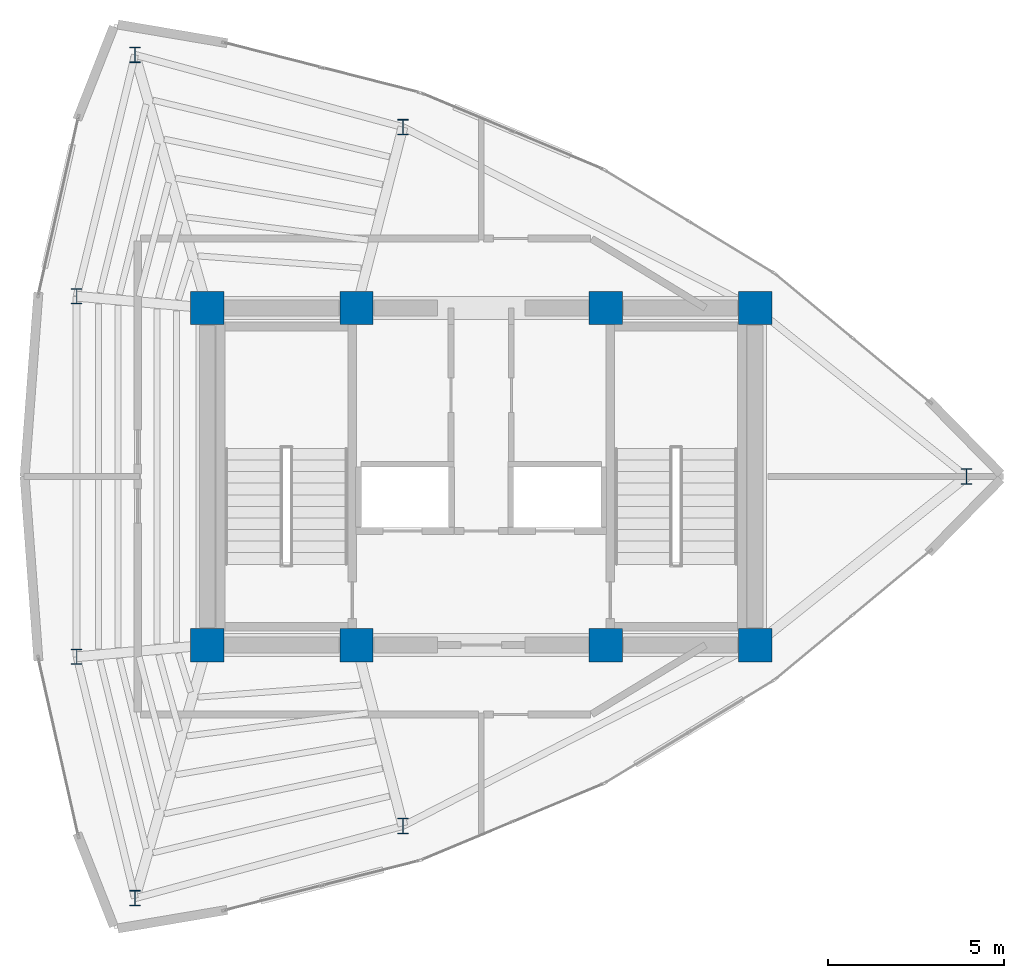
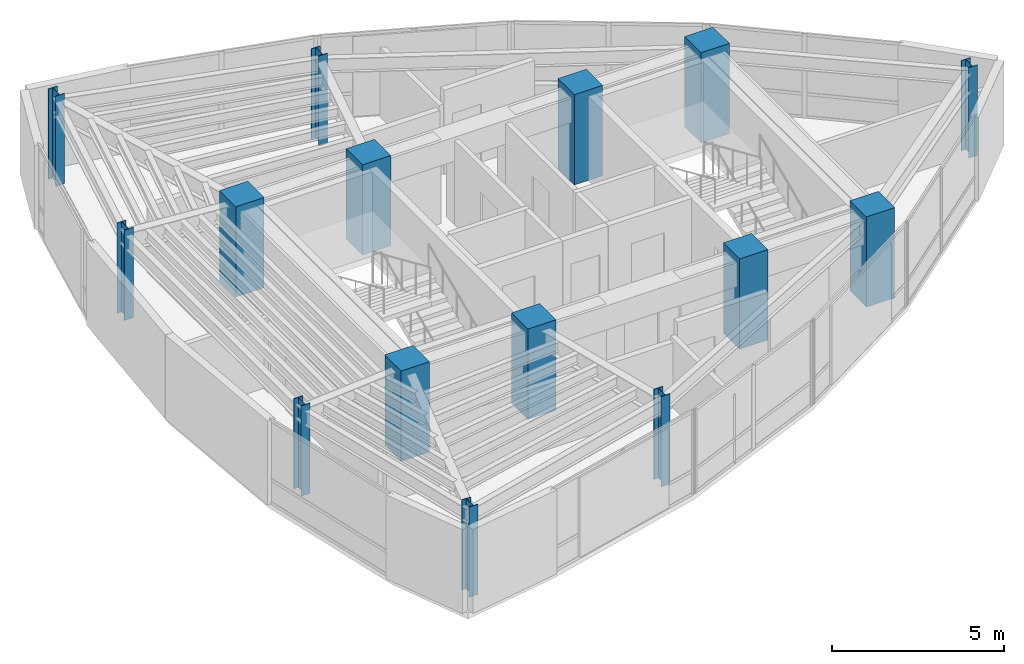
# One storey, part 1 of 14: 15 columns.
"""IFC4 building model written with IfcOpenShell, lengths in metres."""

from ifc_helpers import new_model, si_unit, direction, frame, origin, origin_2d, place, context, subcontext, project, spatial, rectangle, i_section, extrude, material, material_profile, profile_set, type_object, element, save


model = new_model("IFC4")

# Units and contexts
model_context = context("Model", 3, precision=1e-05, world=origin(), true_north=direction((0.0, 1.0)))
body_context = subcontext(model_context, "Body", "Model", "MODEL_VIEW")
ifc_project = project(units=[si_unit("LENGTHUNIT", "METRE"), si_unit("AREAUNIT", "SQUARE_METRE"), si_unit("VOLUMEUNIT", "CUBIC_METRE"), si_unit("PLANEANGLEUNIT", "RADIAN"), si_unit("MASSUNIT", "GRAM", prefix="KILO")], contexts=[model_context])

# Site, building, storey
site_placement = place(None, origin())
site = spatial("IfcSite", under=ifc_project, at=site_placement, CompositionType="ELEMENT")
building_placement = place(site_placement, origin())
building = spatial("IfcBuilding", under=site, at=building_placement, Name="Menara Vayukalpa", CompositionType="ELEMENT")
storey_placement = place(building_placement, frame((0.0, 0.0, 305.6201171875)))
storey = spatial("IfcBuildingStorey", under=building, at=storey_placement, Name="L78", CompositionType="ELEMENT", Elevation=305.6201171875)

# Columns
ifc_material_1 = material(Name="Concrete C60/75", Category="concrete")
ifc_material_profile_1 = material_profile(ifc_material_1, rectangle(XDim=0.949951171875, YDim=0.949951171875, at=origin_2d()), Name="RC 950x950")
ifc_profile_set_1 = profile_set([ifc_material_profile_1], Name="Concrete C60/75")
column_type_1 = type_object("IfcColumnType", Name="COL-CC2", PredefinedType="COLUMN", material=ifc_profile_set_1)
for number, where, z_axis, x_axis, name in (
    (1, (17.800048828125, 17.199951171875, 0.0), (0.0, 0.0, 1.0), (1.0, 0.0, 0.0), "L78 Core Pilaster Column CC1"),
    (2, (22.050048828125, 17.199951171875, 0.0), (0.0, 0.0, 1.0), (1.0, 0.0, 0.0), "L78 Core Pilaster Column CC2"),
    (3, (29.14990234375, 17.199951171875, 0.0), (0.0, 0.0, 1.0), (1.0, 0.0, 0.0), "L78 Core Pilaster Column CC3"),
    (4, (33.39990234375, 17.199951171875, 0.0), (0.0, 0.0, 1.0), (1.0, 0.0, 0.0), "L78 Core Pilaster Column CC4"),
    (5, (17.800048828125, 26.800048828125, 0.0), (0.0, 0.0, 1.0), (1.0, 0.0, 0.0), "L78 Core Pilaster Column CC5"),
    (6, (22.050048828125, 26.800048828125, 0.0), (0.0, 0.0, 1.0), (1.0, 0.0, 0.0), "L78 Core Pilaster Column CC6"),
    (7, (29.14990234375, 26.800048828125, 0.0), (0.0, 0.0, 1.0), (1.0, 0.0, 0.0), "L78 Core Pilaster Column CC7"),
    (8, (33.39990234375, 26.800048828125, 0.0), (0.0, 0.0, 1.0), (1.0, 0.0, 0.0), "L78 Core Pilaster Column CC8"),
):
    element("IfcColumn", number, at=place(storey_placement, frame(where, z_axis=z_axis, x_axis=x_axis)), inside=storey, type_object=column_type_1, Name=name, PredefinedType="COLUMN", context=body_context, shape_type="SweptSolid", body=[
        extrude(rectangle(XDim=0.949951171875, YDim=0.949951171875, at=origin_2d()), origin(), (0.0, 0.0, 1.0), 3.199951171875),
    ])
ifc_material_2 = material(Name="Steel S355", Category="steel")
ifc_material_profile_2 = material_profile(ifc_material_2, i_section(OverallWidth=0.300048828125, OverallDepth=0.43994140625, WebThickness=0.010986328125, FlangeThickness=0.01806640625, at=origin_2d()), Name="H 440x300x11x18")
ifc_profile_set_2 = profile_set([ifc_material_profile_2], Name="Steel S355")
column_type_2 = type_object("IfcColumnType", Name="COL-SC2", PredefinedType="COLUMN", material=ifc_profile_set_2)
for number, where, z_axis, x_axis, name in (
    (9, (39.4189453125, 22.0, 0.0), (0.0, 0.0, 1.0), (1.0, 0.0, 0.0), "L78 Perimeter Mega Column P01"),
    (10, (23.37060546875, 31.949462890625, 0.0), (0.0, 0.0, 1.0), (1.0, 0.0, 0.0), "L78 Perimeter Mega Column P03"),
    (11, (15.740478515625, 34.0078125, 0.0), (0.0, 0.0, 1.0), (1.0, 0.0, 0.0), "L78 Perimeter Mega Column P04"),
    (12, (14.081298828125, 27.1328125, 0.0), (0.0, 0.0, 1.0), (1.0, 0.0, 0.0), "L78 Perimeter Mega Column P05"),
    (13, (14.081298828125, 16.8671875, 0.0), (0.0, 0.0, 1.0), (1.0, 0.0, 0.0), "L78 Perimeter Mega Column P06"),
    (14, (15.740478515625, 9.9921875, 0.0), (0.0, 0.0, 1.0), (1.0, 0.0, 0.0), "L78 Perimeter Mega Column P07"),
    (15, (23.37060546875, 12.050537109375, 0.0), (0.0, 0.0, 1.0), (1.0, 0.0, 0.0), "L78 Perimeter Mega Column P08"),
):
    element("IfcColumn", number, at=place(storey_placement, frame(where, z_axis=z_axis, x_axis=x_axis)), inside=storey, type_object=column_type_2, Name=name, PredefinedType="COLUMN", context=body_context, shape_type="SweptSolid", body=[
        extrude(i_section(OverallWidth=0.300048828125, OverallDepth=0.43994140625, WebThickness=0.010986328125, FlangeThickness=0.01806640625, at=origin_2d()), origin(), (0.0, 0.0, 1.0), 3.199951171875),
    ])

save(model, "model.ifc")
